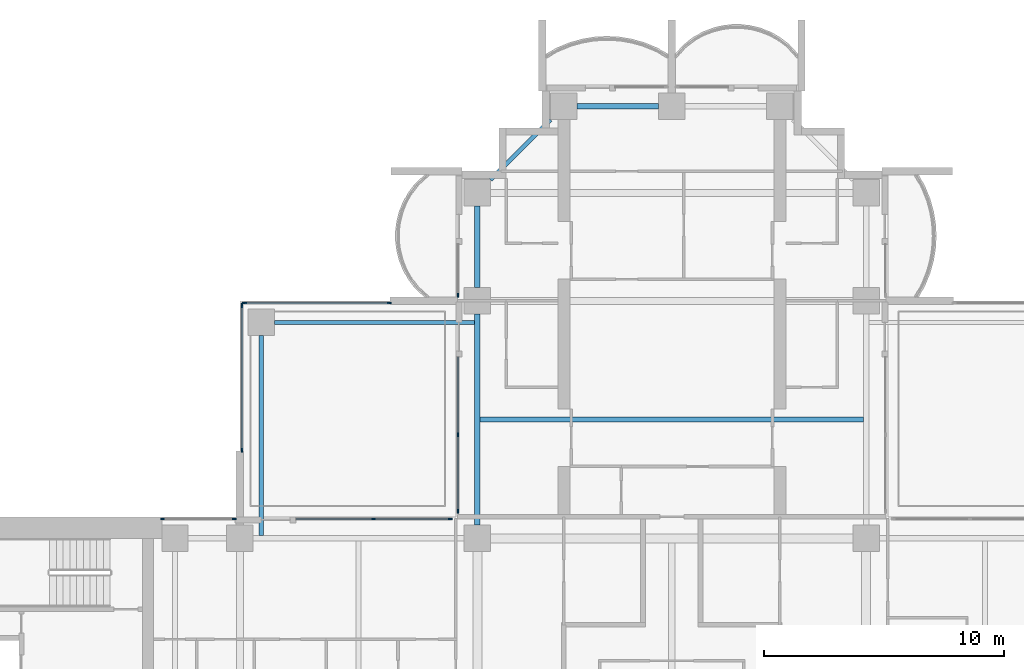
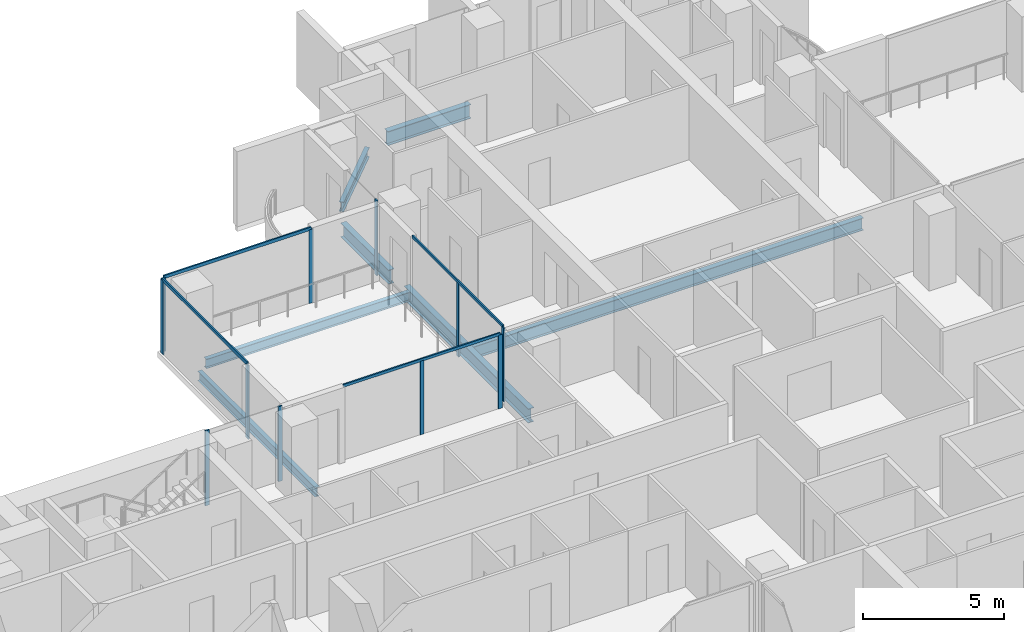
# One storey, part 5 of 19: 15 members, 7 beams, 6 elements without a shape of their own.
"""IFC4 building model written with IfcOpenShell, lengths in metres."""

from ifc_helpers import new_model, si_unit, direction, frame, origin, origin_2d, place, context, subcontext, project, spatial, rectangle, i_section, extrude, material, material_profile, profile_set, type_object, element, aggregate, save


model = new_model("IFC4")

# Units and contexts
model_context = context("Model", 3, precision=1e-05, world=origin(), true_north=direction((0.0, 1.0)))
body_context = subcontext(model_context, "Body", "Model", "MODEL_VIEW")
ifc_project = project(units=[si_unit("LENGTHUNIT", "METRE"), si_unit("AREAUNIT", "SQUARE_METRE"), si_unit("VOLUMEUNIT", "CUBIC_METRE"), si_unit("PLANEANGLEUNIT", "RADIAN"), si_unit("MASSUNIT", "GRAM", prefix="KILO")], contexts=[model_context])

# Site, building, storey
site_placement = place(None, origin())
site = spatial("IfcSite", under=ifc_project, at=site_placement, CompositionType="ELEMENT")
building_placement = place(site_placement, origin())
building = spatial("IfcBuilding", under=site, at=building_placement, Name="Perihelion Cross Residences", CompositionType="ELEMENT")
storey_placement = place(building_placement, frame((0.0, 0.0, 144.39990234375)))
storey = spatial("IfcBuildingStorey", under=building, at=storey_placement, Name="L35", CompositionType="ELEMENT", Elevation=144.39990234375)

# Curtain wall, member
ifc_material_1 = material(Name="Bronze anodised aluminium, tinted glazing", Category="aluminium")
curtain_wall_type_1 = type_object("IfcCurtainWallType", Name="CW1", PredefinedType="NOTDEFINED", material=ifc_material_1)
curtain_wall_1_placement = place(storey_placement, origin())
curtain_wall_1 = element("IfcCurtainWall", 1, at=curtain_wall_1_placement, inside=storey, type_object=curtain_wall_type_1, Name="Curtain wall CW1 L35 north side west bay 1", PredefinedType="NOTDEFINED")
ifc_material_2 = material(Name="Bronze anodised aluminium", Category="aluminium")
ifc_material_profile_1 = material_profile(ifc_material_2, rectangle(XDim=0.06005859375, YDim=0.159912109375, at=origin_2d()), Name="CW1 mullion")
ifc_profile_set_1 = profile_set([ifc_material_profile_1], Name="Bronze anodised aluminium")
member_type_1 = type_object("IfcMemberType", Name="CW1 mullion", PredefinedType="MULLION", material=ifc_profile_set_1)
member_1_placement = place(storey_placement, frame((-8.89990234375, 18.22998046875, 0.0), z_axis=(0.0, 0.0, 1.0), x_axis=(1.0, 0.0, 0.0)))
member_1 = element("IfcMember", 2, at=member_1_placement, type_object=member_type_1, Name="CW1 mullion 2", PredefinedType="MULLION", context=body_context, shape_type="SweptSolid", body=[
    extrude(rectangle(XDim=0.06005859375, YDim=0.159912109375, at=origin_2d()), origin(), (0.0, 0.0, 1.0), 3.25),
])
aggregate(curtain_wall_1, [member_1])

# Curtain wall, members
curtain_wall_2_placement = place(storey_placement, origin())
curtain_wall_2 = element("IfcCurtainWall", 3, at=curtain_wall_2_placement, inside=storey, type_object=curtain_wall_type_1, Name="Curtain wall CW1 L35 north side west bay 2", PredefinedType="NOTDEFINED")
member_2_placement = place(storey_placement, frame((-8.89990234375, 12.425048828125, 0.0), z_axis=(0.0, 0.0, 1.0), x_axis=(1.0, 0.0, 0.0)))
member_2 = element("IfcMember", 4, at=member_2_placement, type_object=member_type_1, Name="CW1 mullion 2", PredefinedType="MULLION", context=body_context, shape_type="SweptSolid", body=[
    extrude(rectangle(XDim=0.06005859375, YDim=0.159912109375, at=origin_2d()), origin(), (0.0, 0.0, 1.0), 3.190185546875),
])
member_3_placement = place(storey_placement, frame((-8.89990234375, 9.22998046875, 0.0), z_axis=(0.0, 0.0, 1.0), x_axis=(1.0, 0.0, 0.0)))
member_3 = element("IfcMember", 5, at=member_3_placement, type_object=member_type_1, Name="CW1 mullion 3", PredefinedType="MULLION", context=body_context, shape_type="SweptSolid", body=[
    extrude(rectangle(XDim=0.06005859375, YDim=0.159912109375, at=origin_2d()), origin(), (0.0, 0.0, 1.0), 3.190185546875),
])

curtain_wall_3_placement = place(storey_placement, origin())
curtain_wall_3 = element("IfcCurtainWall", 6, at=curtain_wall_3_placement, inside=storey, type_object=curtain_wall_type_1, Name="Curtain wall CW1 L35 west side north bay 1", PredefinedType="NOTDEFINED")
member_4_placement = place(storey_placement, frame((-9.22998046875, 8.89990234375, 0.0), z_axis=(0.0, 0.0, 1.0), x_axis=(0.0, -1.0, 0.0)))
member_4 = element("IfcMember", 7, at=member_4_placement, type_object=member_type_1, Name="CW1 mullion 1", PredefinedType="MULLION", context=body_context, shape_type="SweptSolid", body=[
    extrude(rectangle(XDim=0.06005859375, YDim=0.159912109375, at=origin_2d()), origin(), (0.0, 0.0, 1.0), 3.190185546875),
])
member_5_placement = place(storey_placement, frame((-12.425048828125, 8.89990234375, 0.0), z_axis=(0.0, 0.0, 1.0), x_axis=(0.0, -1.0, 0.0)))
member_5 = element("IfcMember", 8, at=member_5_placement, type_object=member_type_1, Name="CW1 mullion 2", PredefinedType="MULLION", context=body_context, shape_type="SweptSolid", body=[
    extrude(rectangle(XDim=0.06005859375, YDim=0.159912109375, at=origin_2d()), origin(), (0.0, 0.0, 1.0), 3.190185546875),
])

curtain_wall_4_placement = place(storey_placement, origin())
curtain_wall_4 = element("IfcCurtainWall", 9, at=curtain_wall_4_placement, inside=storey, type_object=curtain_wall_type_1, Name="Curtain wall CW1 L35 west side north bay 2", PredefinedType="NOTDEFINED")
member_6_placement = place(storey_placement, frame((-18.22998046875, 8.89990234375, 0.0), z_axis=(0.0, 0.0, 1.0), x_axis=(0.0, -1.0, 0.0)))
member_6 = element("IfcMember", 10, at=member_6_placement, type_object=member_type_1, Name="CW1 mullion 1", PredefinedType="MULLION", context=body_context, shape_type="SweptSolid", body=[
    extrude(rectangle(XDim=0.06005859375, YDim=0.159912109375, at=origin_2d()), origin(), (0.0, 0.0, 1.0), 3.25),
])
member_7_placement = place(storey_placement, frame((-21.219970703125, 8.89990234375, 0.0), z_axis=(0.0, 0.0, 1.0), x_axis=(0.0, -1.0, 0.0)))
member_7 = element("IfcMember", 11, at=member_7_placement, type_object=member_type_1, Name="CW1 mullion 2", PredefinedType="MULLION", context=body_context, shape_type="SweptSolid", body=[
    extrude(rectangle(XDim=0.06005859375, YDim=0.159912109375, at=origin_2d()), origin(), (0.0, 0.0, 1.0), 3.25),
])
aggregate(curtain_wall_4, [member_6, member_7])

# Member
ifc_material_3 = material(Name="Bronze anodised aluminium", Category="aluminium")
ifc_material_profile_2 = material_profile(ifc_material_3, rectangle(XDim=0.06005859375, YDim=0.1201171875, at=origin_2d()), Name="CW1 transom")
ifc_profile_set_2 = profile_set([ifc_material_profile_2], Name="Bronze anodised aluminium")
member_type_2 = type_object("IfcMemberType", Name="CW1 transom", PredefinedType="USERDEFINED", material=ifc_profile_set_2)
member_8_placement = place(storey_placement, frame((-8.89990234375, 15.64990234375, 3.22021484375), z_axis=(0.0, -1.0, 0.0), x_axis=(1.0, 0.0, 0.0)))
member_8 = element("IfcMember", 12, at=member_8_placement, type_object=member_type_2, Name="CW1 head transom", ObjectType="TRANSOM", PredefinedType="USERDEFINED", context=body_context, shape_type="SweptSolid", body=[
    extrude(rectangle(XDim=0.06005859375, YDim=0.1201171875, at=origin_2d()), origin(), (0.0, 0.0, 1.0), 6.419921875),
])

aggregate(curtain_wall_2, [member_2, member_3, member_8])

member_9_placement = place(storey_placement, frame((-9.22998046875, 8.89990234375, 3.22021484375), z_axis=(-1.0, 0.0, 0.0), x_axis=(0.0, -1.0, 0.0)))
member_9 = element("IfcMember", 13, at=member_9_placement, type_object=member_type_2, Name="CW1 head transom", ObjectType="TRANSOM", PredefinedType="USERDEFINED", context=body_context, shape_type="SweptSolid", body=[
    extrude(rectangle(XDim=0.06005859375, YDim=0.1201171875, at=origin_2d()), origin(), (0.0, 0.0, 1.0), 6.419921875),
])

aggregate(curtain_wall_3, [member_4, member_5, member_9])

# Curtain wall, members
ifc_material_4 = material(Name="Bronze anodised aluminium, tinted glazing", Category="aluminium")
curtain_wall_type_2 = type_object("IfcCurtainWallType", Name="CW4", PredefinedType="NOTDEFINED", material=ifc_material_4)
curtain_wall_5_placement = place(storey_placement, origin())
curtain_wall_5 = element("IfcCurtainWall", 14, at=curtain_wall_5_placement, inside=storey, type_object=curtain_wall_type_2, Name="Curtain wall CW4 L35 pocket north-west 1 1", PredefinedType="NOTDEFINED")
ifc_material_5 = material(Name="Bronze anodised aluminium", Category="aluminium")
ifc_material_profile_3 = material_profile(ifc_material_5, rectangle(XDim=0.06005859375, YDim=0.179931640625, at=origin_2d()), Name="CW4 mullion")
ifc_profile_set_3 = profile_set([ifc_material_profile_3], Name="Bronze anodised aluminium")
member_type_3 = type_object("IfcMemberType", Name="CW4 mullion", PredefinedType="MULLION", material=ifc_profile_set_3)
member_10_placement = place(storey_placement, frame((-17.89990234375, 11.77001953125, 0.0), z_axis=(0.0, 0.0, 1.0), x_axis=(-1.0, 0.0, 0.0)))
member_10 = element("IfcMember", 15, at=member_10_placement, type_object=member_type_3, Name="CW4 mullion 1", PredefinedType="MULLION", context=body_context, shape_type="SweptSolid", body=[
    extrude(rectangle(XDim=0.06005859375, YDim=0.179931640625, at=origin_2d()), origin(), (0.0, 0.0, 1.0), 3.190185546875),
])
member_11_placement = place(storey_placement, frame((-17.89990234375, 17.800048828125, 0.0), z_axis=(0.0, 0.0, 1.0), x_axis=(-1.0, 0.0, 0.0)))
member_11 = element("IfcMember", 16, at=member_11_placement, type_object=member_type_3, Name="CW4 mullion 2", PredefinedType="MULLION", context=body_context, shape_type="SweptSolid", body=[
    extrude(rectangle(XDim=0.06005859375, YDim=0.179931640625, at=origin_2d()), origin(), (0.0, 0.0, 1.0), 3.190185546875),
])

curtain_wall_6_placement = place(storey_placement, origin())
curtain_wall_6 = element("IfcCurtainWall", 17, at=curtain_wall_6_placement, inside=storey, type_object=curtain_wall_type_2, Name="Curtain wall CW4 L35 pocket north-west 1 2", PredefinedType="NOTDEFINED")
member_12_placement = place(storey_placement, frame((-17.800048828125, 17.89990234375, 0.0), z_axis=(0.0, 0.0, 1.0), x_axis=(0.0, 1.0, 0.0)))
member_12 = element("IfcMember", 18, at=member_12_placement, type_object=member_type_3, Name="CW4 mullion 1", PredefinedType="MULLION", context=body_context, shape_type="SweptSolid", body=[
    extrude(rectangle(XDim=0.06005859375, YDim=0.179931640625, at=origin_2d()), origin(), (0.0, 0.0, 1.0), 3.190185546875),
])
member_13_placement = place(storey_placement, frame((-11.77001953125, 17.89990234375, 0.0), z_axis=(0.0, 0.0, 1.0), x_axis=(0.0, 1.0, 0.0)))
member_13 = element("IfcMember", 19, at=member_13_placement, type_object=member_type_3, Name="CW4 mullion 2", PredefinedType="MULLION", context=body_context, shape_type="SweptSolid", body=[
    extrude(rectangle(XDim=0.06005859375, YDim=0.179931640625, at=origin_2d()), origin(), (0.0, 0.0, 1.0), 3.190185546875),
])

# Member
ifc_material_6 = material(Name="Bronze anodised aluminium", Category="aluminium")
ifc_material_profile_4 = material_profile(ifc_material_6, rectangle(XDim=0.06005859375, YDim=0.139892578125, at=origin_2d()), Name="CW4 transom")
ifc_profile_set_4 = profile_set([ifc_material_profile_4], Name="Bronze anodised aluminium")
member_type_4 = type_object("IfcMemberType", Name="CW4 transom", PredefinedType="USERDEFINED", material=ifc_profile_set_4)
member_14_placement = place(storey_placement, frame((-17.89990234375, 11.77001953125, 3.22021484375), z_axis=(0.0, 1.0, 0.0), x_axis=(-1.0, 0.0, 0.0)))
member_14 = element("IfcMember", 20, at=member_14_placement, type_object=member_type_4, Name="CW4 head transom", ObjectType="TRANSOM", PredefinedType="USERDEFINED", context=body_context, shape_type="SweptSolid", body=[
    extrude(rectangle(XDim=0.06005859375, YDim=0.139892578125, at=origin_2d()), origin(), (0.0, 0.0, 1.0), 6.030029296875),
])

aggregate(curtain_wall_5, [member_10, member_11, member_14])

member_15_placement = place(storey_placement, frame((-17.800048828125, 17.89990234375, 3.22021484375), z_axis=(1.0, 0.0, 0.0), x_axis=(0.0, 1.0, 0.0)))
member_15 = element("IfcMember", 21, at=member_15_placement, type_object=member_type_4, Name="CW4 head transom", ObjectType="TRANSOM", PredefinedType="USERDEFINED", context=body_context, shape_type="SweptSolid", body=[
    extrude(rectangle(XDim=0.06005859375, YDim=0.139892578125, at=origin_2d()), origin(), (0.0, 0.0, 1.0), 6.030029296875),
])

aggregate(curtain_wall_6, [member_12, member_13, member_15])

# Beams
ifc_material_7 = material(Name="Steel S355", Category="steel")
ifc_material_profile_5 = material_profile(ifc_material_7, i_section(OverallWidth=0.177978515625, OverallDepth=0.406005859375, WebThickness=0.0078125, FlangeThickness=0.0126953125, at=origin_2d()), Name="W410x60")
ifc_profile_set_5 = profile_set([ifc_material_profile_5], Name="Steel S355")
beam_type_1 = type_object("IfcBeamType", Name="Core edge beam W410x60", PredefinedType="BEAM", material=ifc_profile_set_5)
for number, where, z_axis, x_axis, name in (
    (22, (-17.10009765625, 8.214599609375, -0.452880859375), (0.0, 1.0, 0.0), (-1.0, 0.0, 0.0), "Core edge beam TB2 L35 corner no. 3"),
    (23, (-8.214599609375, 17.10009765625, -0.452880859375), (-1.0, 0.0, 0.0), (0.0, -1.0, 0.0), "Core edge beam TB2 L35 corner no. 4"),
):
    element("IfcBeam", number, at=place(storey_placement, frame(where, z_axis=z_axis, x_axis=x_axis)), inside=storey, type_object=beam_type_1, Name=name, PredefinedType="BEAM", context=body_context, shape_type="SweptSolid", body=[
        extrude(i_section(OverallWidth=0.177978515625, OverallDepth=0.406005859375, WebThickness=0.0078125, FlangeThickness=0.0126953125, at=origin_2d()), origin(), (0.0, 0.0, 1.0), 8.33544921875),
    ])
ifc_material_8 = material(Name="Steel S355", Category="steel")
ifc_material_profile_6 = material_profile(ifc_material_8, i_section(OverallWidth=0.22900390625, OverallDepth=0.612060546875, WebThickness=0.011962890625, FlangeThickness=0.01953125, at=origin_2d()), Name="W610x125")
ifc_profile_set_6 = profile_set([ifc_material_profile_6], Name="Steel S355")
beam_type_2 = type_object("IfcBeamType", Name="Edge beam W610x125", PredefinedType="SPANDREL", material=ifc_profile_set_6)
for number, where, z_axis, x_axis, name in (
    (24, (-0.550048828125, 26.10009765625, -0.555908203125), (-1.0, 0.0, 0.0), (0.0, -1.0, 0.0), "Edge beam SB3 L35 no. 10"),
    (25, (-8.10009765625, 21.949951171875, -0.555908203125), (0.0, -1.0, 0.0), (1.0, 0.0, 0.0), "Edge beam SB3 L35 no. 7"),
):
    element("IfcBeam", number, at=place(storey_placement, frame(where, z_axis=z_axis, x_axis=x_axis)), inside=storey, type_object=beam_type_2, Name=name, PredefinedType="SPANDREL", context=body_context, shape_type="SweptSolid", body=[
        extrude(i_section(OverallWidth=0.22900390625, OverallDepth=0.612060546875, WebThickness=0.011962890625, FlangeThickness=0.01953125, at=origin_2d()), origin(), (0.0, 0.0, 1.0), 3.39990234375),
    ])
beam_1_placement = place(storey_placement, frame((-8.10009765625, 17.449951171875, -0.555908203125), z_axis=(0.0, -1.0, 0.0), x_axis=(1.0, 0.0, 0.0)))
element("IfcBeam", 26, at=beam_1_placement, inside=storey, type_object=beam_type_2, Name="Edge beam SB3 L35 no. 6", PredefinedType="SPANDREL", context=body_context, shape_type="SweptSolid", body=[
    extrude(i_section(OverallWidth=0.22900390625, OverallDepth=0.612060546875, WebThickness=0.011962890625, FlangeThickness=0.01953125, at=origin_2d()), origin(), (0.0, 0.0, 1.0), 8.800048828125),
])
ifc_material_9 = material(Name="Steel S355", Category="steel")
ifc_material_profile_7 = material_profile(ifc_material_9, i_section(OverallWidth=0.208984375, OverallDepth=0.532958984375, WebThickness=0.01025390625, FlangeThickness=0.015625, at=origin_2d()), Name="W530x92")
ifc_profile_set_7 = profile_set([ifc_material_profile_7], Name="Steel S355")
beam_type_3 = type_object("IfcBeamType", Name="Floor joist W530x92", PredefinedType="JOIST", material=ifc_profile_set_7)
beam_2_placement = place(storey_placement, frame((-7.985595703125, 13.050048828125, -0.516357421875), z_axis=(1.0, 0.0, 0.0), x_axis=(0.0, 1.0, 0.0)))
element("IfcBeam", 27, at=beam_2_placement, inside=storey, type_object=beam_type_3, Name="Joist J4 L35 no. 4", PredefinedType="JOIST", context=body_context, shape_type="SweptSolid", body=[
    extrude(i_section(OverallWidth=0.208984375, OverallDepth=0.532958984375, WebThickness=0.01025390625, FlangeThickness=0.015625, at=origin_2d()), origin(), (0.0, 0.0, 1.0), 15.97119140625),
])
ifc_material_10 = material(Name="Steel S355", Category="steel")
ifc_material_profile_8 = material_profile(ifc_material_10, i_section(OverallWidth=0.180908203125, OverallDepth=0.4169921875, WebThickness=0.010986328125, FlangeThickness=0.018310546875, at=origin_2d()), Name="W410x85")
ifc_profile_set_8 = profile_set([ifc_material_profile_8], Name="Steel S355")
beam_type_4 = type_object("IfcBeamType", Name="Serration edge beam W410x85", PredefinedType="BEAM", material=ifc_profile_set_8)
beam_3_placement = place(storey_placement, frame((-5.050048828125, 25.550048828125, -0.45849609375), z_axis=(-0.707106781187, -0.707106781187, 0.0), x_axis=(0.707106781187, -0.707106781187, 0.0)))
element("IfcBeam", 28, at=beam_3_placement, inside=storey, type_object=beam_type_4, Name="Serration edge beam EB3 L35 no. 1", PredefinedType="BEAM", context=body_context, shape_type="SweptSolid", body=[
    extrude(i_section(OverallWidth=0.180908203125, OverallDepth=0.4169921875, WebThickness=0.010986328125, FlangeThickness=0.018310546875, at=origin_2d()), origin(), (0.0, 0.0, 1.0), 3.53564453125),
])

save(model, "model.ifc")
